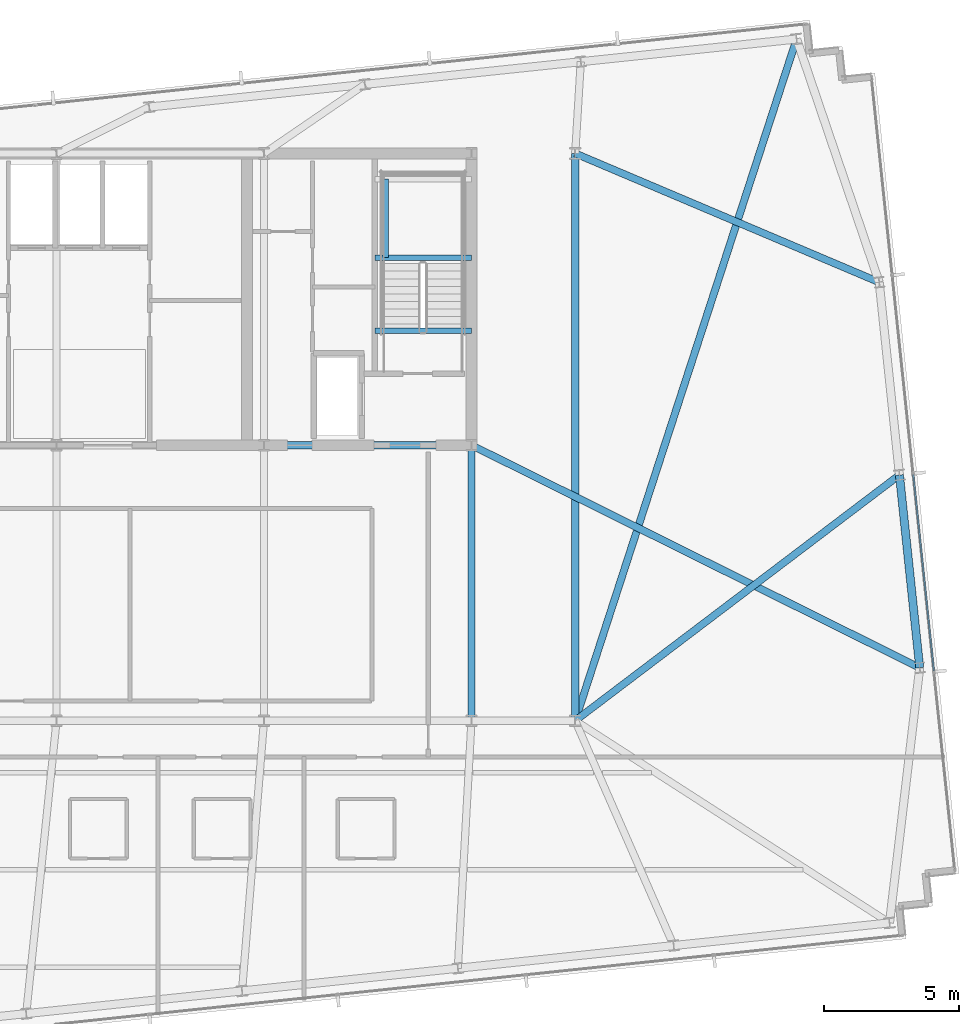
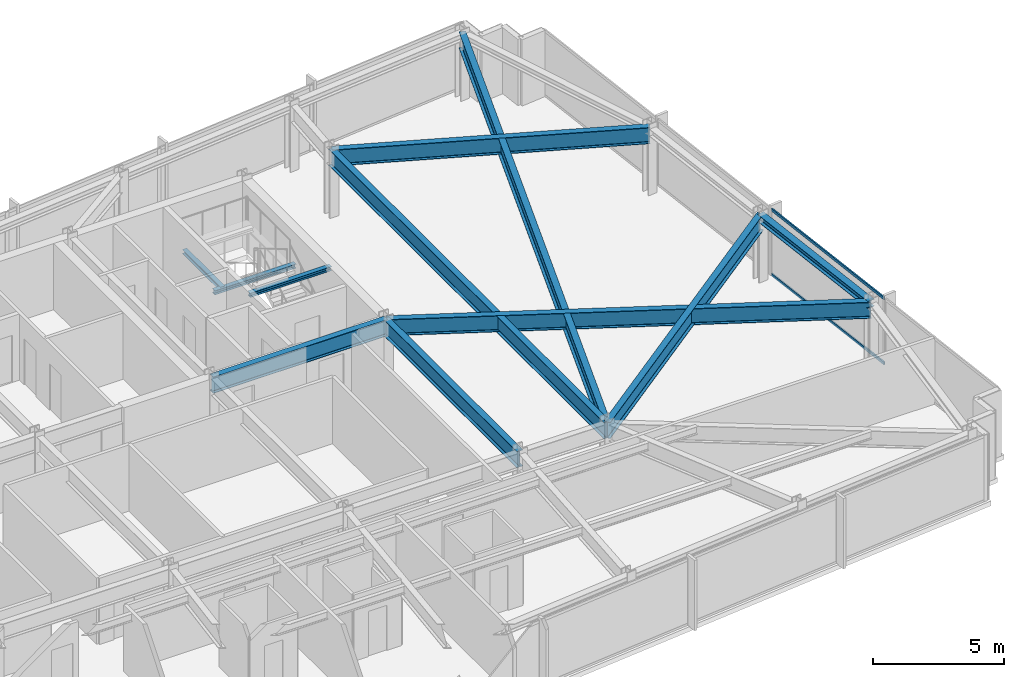
# One storey, part 18 of 33: 11 beams, 2 members, 1 element without a shape of its own.
"""IFC4 building model written with IfcOpenShell, lengths in metres."""

from ifc_helpers import new_model, si_unit, direction, frame, origin, origin_2d, place, context, subcontext, project, spatial, hollow_rectangle, i_section, extrude, material, material_profile, profile_set, type_object, element, aggregate, save


model = new_model("IFC4")

# Units and contexts
model_context = context("Model", 3, precision=1e-05, world=origin(), true_north=direction((0.0, 1.0)))
body_context = subcontext(model_context, "Body", "Model", "MODEL_VIEW")
ifc_project = project(units=[si_unit("LENGTHUNIT", "METRE"), si_unit("AREAUNIT", "SQUARE_METRE"), si_unit("VOLUMEUNIT", "CUBIC_METRE"), si_unit("PLANEANGLEUNIT", "RADIAN"), si_unit("MASSUNIT", "GRAM", prefix="KILO")], contexts=[model_context])

# Site, building, storey
site_placement = place(None, origin())
site = spatial("IfcSite", under=ifc_project, at=site_placement, CompositionType="ELEMENT")
building_placement = place(site_placement, origin())
building = spatial("IfcBuilding", under=site, at=building_placement, Name="Yelkora Congress Tower", CompositionType="ELEMENT")
storey_placement = place(building_placement, frame((0.0, 0.0, 221.0)))
storey = spatial("IfcBuildingStorey", under=building, at=storey_placement, Name="L61", CompositionType="ELEMENT", Elevation=221.0)

# Beams
ifc_material_1 = material(Name="Steel S355J2", Category="steel")
ifc_material_profile_1 = material_profile(ifc_material_1, i_section(OverallWidth=0.26708984375, OverallDepth=0.761962890625, WebThickness=0.014404296875, FlangeThickness=0.021484375, FilletRadius=0.01708984375, at=origin_2d()), Name="IPE 750x173")
ifc_profile_set_1 = profile_set([ifc_material_profile_1], Name="Steel S355J2")
beam_type_1 = type_object("IfcBeamType", Name="BM-GIRD-IPE750", PredefinedType="BEAM", material=ifc_profile_set_1)
beam_1_placement = place(storey_placement, frame((46.080078125, 35.39990234375, 2.698974609375), z_axis=(1.0, 0.0, 0.0), x_axis=(0.0, 1.0, 0.0)))
element("IfcBeam", 1, at=beam_1_placement, inside=storey, type_object=beam_type_1, Name="L61 Core South Girder 4", PredefinedType="BEAM", context=body_context, shape_type="SweptSolid", body=[
    extrude(i_section(OverallWidth=0.26708984375, OverallDepth=0.761962890625, WebThickness=0.014404296875, FlangeThickness=0.021484375, FilletRadius=0.01708984375, at=origin_2d()), origin(), (0.0, 0.0, 1.0), 7.679931640625),
])
beam_2_placement = place(storey_placement, frame((53.760009765625, 25.199951171875, 2.698974609375), z_axis=(0.0, 1.0, 0.0), x_axis=(-1.0, 0.0, 0.0)))
element("IfcBeam", 2, at=beam_2_placement, inside=storey, type_object=beam_type_1, Name="L61 Core Tie Girder MC-D5", PredefinedType="BEAM", context=body_context, shape_type="SweptSolid", body=[
    extrude(i_section(OverallWidth=0.26708984375, OverallDepth=0.761962890625, WebThickness=0.014404296875, FlangeThickness=0.021484375, FilletRadius=0.01708984375, at=origin_2d()), origin(), (0.0, 0.0, 1.0), 10.199951171875),
])
beam_3_placement = place(storey_placement, frame((57.60009765625, 25.199951171875, 2.698974609375), z_axis=(0.0, 1.0, 0.0), x_axis=(-1.0, 0.0, 0.0)))
element("IfcBeam", 3, at=beam_3_placement, inside=storey, type_object=beam_type_1, Name="L61 Neck Flank Girder MC-F2", PredefinedType="BEAM", context=body_context, shape_type="SweptSolid", body=[
    extrude(i_section(OverallWidth=0.26708984375, OverallDepth=0.761962890625, WebThickness=0.014404296875, FlangeThickness=0.021484375, FilletRadius=0.01708984375, at=origin_2d()), origin(), (0.0, 0.0, 1.0), 21.0),
])
beam_4_placement = place(storey_placement, frame((65.7958984375, 50.4365234375, 2.698974609375), z_axis=(-0.308878638672, -0.951101459663, 0.0), x_axis=(0.951101459663, -0.308878638672, 0.0)))
element("IfcBeam", 4, at=beam_4_placement, inside=storey, type_object=beam_type_1, Name="L61 Primary Frame Girder N07", PredefinedType="BEAM", context=body_context, shape_type="SweptSolid", body=[
    extrude(i_section(OverallWidth=0.26708984375, OverallDepth=0.761962890625, WebThickness=0.014404296875, FlangeThickness=0.021484375, FilletRadius=0.01708984375, at=origin_2d()), origin(), (0.0, 0.0, 1.0), 26.533935546875),
])
beam_5_placement = place(storey_placement, frame((70.35400390625, 27.160400390625, 2.698974609375), z_axis=(-0.895665070913, 0.444729221826, 0.0), x_axis=(-0.444729221826, -0.895665070913, 0.0)))
element("IfcBeam", 5, at=beam_5_placement, inside=storey, type_object=beam_type_1, Name="L61 Primary Frame Girder E01", PredefinedType="BEAM", context=body_context, shape_type="SweptSolid", body=[
    extrude(i_section(OverallWidth=0.26708984375, OverallDepth=0.761962890625, WebThickness=0.014404296875, FlangeThickness=0.021484375, FilletRadius=0.01708984375, at=origin_2d()), origin(), (0.0, 0.0, 1.0), 18.527099609375),
])
beam_6_placement = place(storey_placement, frame((69.60400390625, 34.296142578125, 2.698974609375), z_axis=(-0.797017901034, -0.603955681678, 0.0), x_axis=(0.603955681678, -0.797017901034, 0.0)))
element("IfcBeam", 6, at=beam_6_placement, inside=storey, type_object=beam_type_1, Name="L61 Primary Frame Girder E02", PredefinedType="BEAM", context=body_context, shape_type="SweptSolid", body=[
    extrude(i_section(OverallWidth=0.26708984375, OverallDepth=0.761962890625, WebThickness=0.014404296875, FlangeThickness=0.021484375, FilletRadius=0.01708984375, at=origin_2d()), origin(), (0.0, 0.0, 1.0), 15.06103515625),
])
beam_7_placement = place(storey_placement, frame((68.85400390625, 41.431884765625, 2.698974609375), z_axis=(-0.920767530621, 0.390111720606, 0.0), x_axis=(-0.390111720606, -0.920767530621, 0.0)))
element("IfcBeam", 7, at=beam_7_placement, inside=storey, type_object=beam_type_1, Name="L61 Primary Frame Girder E03", PredefinedType="BEAM", context=body_context, shape_type="SweptSolid", body=[
    extrude(i_section(OverallWidth=0.26708984375, OverallDepth=0.761962890625, WebThickness=0.014404296875, FlangeThickness=0.021484375, FilletRadius=0.01708984375, at=origin_2d()), origin(), (0.0, 0.0, 1.0), 12.222412109375),
])
ifc_material_profile_2 = material_profile(ifc_material_1, i_section(OverallWidth=0.199951171875, OverallDepth=0.18994140625, WebThickness=0.006591796875, FlangeThickness=0.010009765625, FilletRadius=0.01806640625, at=origin_2d()), Name="HEA 200")
ifc_profile_set_2 = profile_set([ifc_material_profile_2], Name="Steel S355J2")
beam_type_2 = type_object("IfcBeamType", Name="BM-LAND-HEA200", PredefinedType="BEAM", material=ifc_profile_set_2)
beam_8_placement = place(storey_placement, frame((50.179931640625, 42.340087890625, 1.334716796875), z_axis=(1.0, 0.0, 0.0), x_axis=(0.0, 1.0, 0.0)))
element("IfcBeam", 8, at=beam_8_placement, inside=storey, type_object=beam_type_2, Name="ST-02 L61 Landing Header Beam 1S", PredefinedType="BEAM", context=body_context, shape_type="SweptSolid", body=[
    extrude(i_section(OverallWidth=0.199951171875, OverallDepth=0.18994140625, WebThickness=0.006591796875, FlangeThickness=0.010009765625, FilletRadius=0.01806640625, at=origin_2d()), origin(), (0.0, 0.0, 1.0), 3.580078125),
])
beam_9_placement = place(storey_placement, frame((50.580078125, 42.340087890625, 1.334716796875), z_axis=(0.0, 1.0, 0.0), x_axis=(-1.0, 0.0, 0.0)))
element("IfcBeam", 9, at=beam_9_placement, inside=storey, type_object=beam_type_2, Name="ST-02 L61 Landing Trimmer Beam 1M", PredefinedType="BEAM", context=body_context, shape_type="SweptSolid", body=[
    extrude(i_section(OverallWidth=0.199951171875, OverallDepth=0.18994140625, WebThickness=0.006591796875, FlangeThickness=0.010009765625, FilletRadius=0.01806640625, at=origin_2d()), origin(), (0.0, 0.0, 1.0), 2.909912109375),
])
beam_10_placement = place(storey_placement, frame((50.179931640625, 39.639892578125, 2.85400390625), z_axis=(1.0, 0.0, 0.0), x_axis=(0.0, 1.0, 0.0)))
element("IfcBeam", 10, at=beam_10_placement, inside=storey, type_object=beam_type_2, Name="ST-02 L61 Floor Arrival Stringer Header Beam", PredefinedType="BEAM", context=body_context, shape_type="SweptSolid", body=[
    extrude(i_section(OverallWidth=0.199951171875, OverallDepth=0.18994140625, WebThickness=0.006591796875, FlangeThickness=0.010009765625, FilletRadius=0.01806640625, at=origin_2d()), origin(), (0.0, 0.0, 1.0), 3.580078125),
])
ifc_material_profile_3 = material_profile(ifc_material_1, i_section(OverallWidth=0.300048828125, OverallDepth=0.340087890625, WebThickness=0.011962890625, FlangeThickness=0.021484375, FilletRadius=0.027099609375, at=origin_2d()), Name="HEB 340")
ifc_profile_set_3 = profile_set([ifc_material_profile_3], Name="Steel S355J2")
beam_type_3 = type_object("IfcBeamType", Name="BM-SPAN-HEB340", PredefinedType="SPANDREL", material=ifc_profile_set_3)
beam_11_placement = place(storey_placement, frame((70.35400390625, 27.160400390625, 2.909912109375), z_axis=(-0.104528914631, 0.994521847928, 0.0), x_axis=(-0.994521847928, -0.104528914631, 0.0)))
element("IfcBeam", 11, at=beam_11_placement, inside=storey, type_object=beam_type_3, Name="L61 Perimeter Beam 10", PredefinedType="SPANDREL", context=body_context, shape_type="SweptSolid", body=[
    extrude(i_section(OverallWidth=0.300048828125, OverallDepth=0.340087890625, WebThickness=0.011962890625, FlangeThickness=0.021484375, FilletRadius=0.027099609375, at=origin_2d()), origin(), (0.0, 0.0, 1.0), 7.175048828125),
])

# Curtain wall, members
ifc_material_2 = material(Name="Anodised aluminium and insulated glass", Category="aluminium")
curtain_wall_type = type_object("IfcCurtainWallType", Name="CW-SYS-B4", PredefinedType="NOTDEFINED", material=ifc_material_2)
curtain_wall_placement = place(storey_placement, origin())
curtain_wall = element("IfcCurtainWall", 12, at=curtain_wall_placement, inside=storey, type_object=curtain_wall_type, Name="L61 Unitised Curtain Wall 15", PredefinedType="NOTDEFINED")
ifc_material_3 = material(Name="Anodised aluminium 6063-T6", Category="aluminium")
ifc_material_profile_4 = material_profile(ifc_material_3, hollow_rectangle(XDim=0.06005859375, YDim=0.1298828125, WallThickness=0.00390625, at=origin_2d()), Name="ALU 60x130x4")
ifc_profile_set_4 = profile_set([ifc_material_profile_4], Name="Anodised aluminium 6063-T6")
member_type = type_object("IfcMemberType", Name="MEM-TR-B4", PredefinedType="USERDEFINED", material=ifc_profile_set_4)
member_1_placement = place(storey_placement, frame((70.114501953125, 34.317138671875, 0.030029296875), z_axis=(0.104531896307, -0.994521534535, 0.0), x_axis=(0.994521534535, 0.104531896307, 0.0)))
member_1 = element("IfcMember", 13, at=member_1_placement, type_object=member_type, Name="CW-B4 transom 3.1", ObjectType="TRANSOM", PredefinedType="USERDEFINED", context=body_context, shape_type="SweptSolid", body=[
    extrude(hollow_rectangle(XDim=0.06005859375, YDim=0.1298828125, WallThickness=0.00390625, at=origin_2d()), origin(), (0.0, 0.0, 1.0), 7.31494140625),
])
member_2_placement = place(storey_placement, frame((70.114501953125, 34.317138671875, 3.050048828125), z_axis=(0.104531896307, -0.994521534535, 0.0), x_axis=(0.994521534535, 0.104531896307, 0.0)))
member_2 = element("IfcMember", 14, at=member_2_placement, type_object=member_type, Name="CW-B4 transom 3.2", ObjectType="TRANSOM", PredefinedType="USERDEFINED", context=body_context, shape_type="SweptSolid", body=[
    extrude(hollow_rectangle(XDim=0.06005859375, YDim=0.1298828125, WallThickness=0.00390625, at=origin_2d()), origin(), (0.0, 0.0, 1.0), 7.31494140625),
])
aggregate(curtain_wall, [member_1, member_2])

save(model, "model.ifc")
